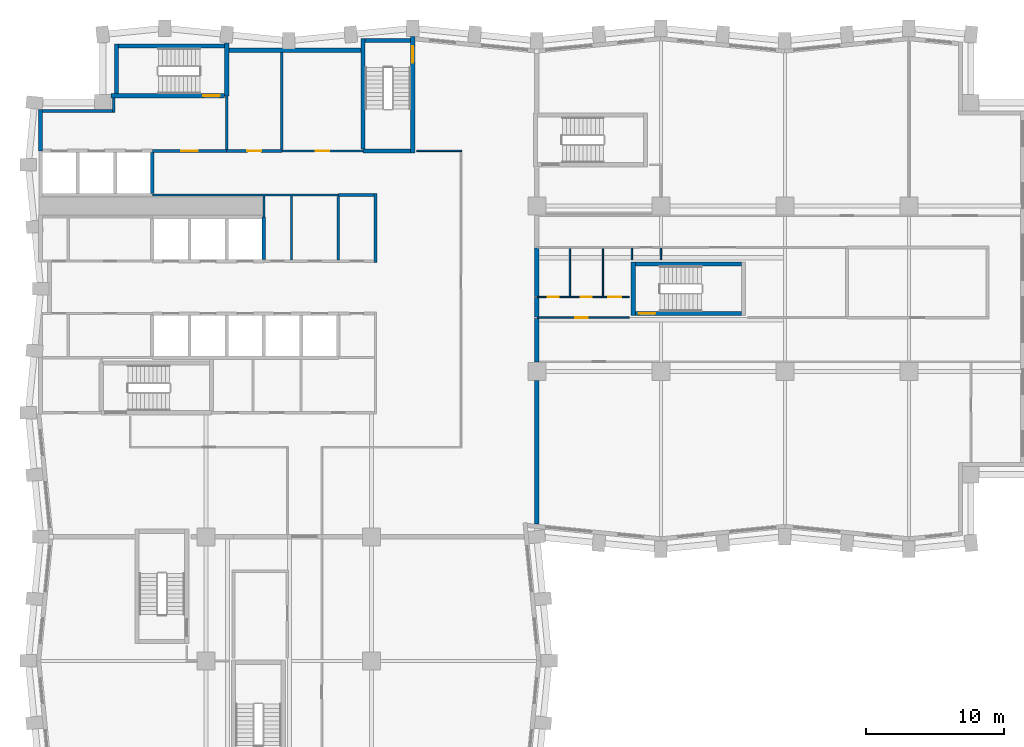
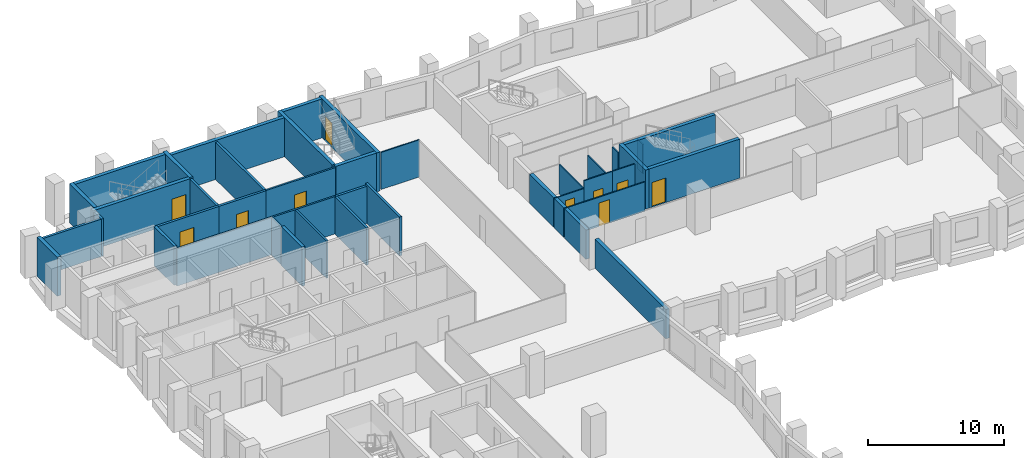
# One storey, part 6 of 11: 41 walls, 10 doors, 10 openings.
"""IFC4 building model written with IfcOpenShell, lengths in metres."""

from ifc_helpers import new_model, si_unit, direction, frame, frame_2d, origin, place, context, subcontext, project, spatial, rectangle, extrude, material, layer, layer_set, type_object, element, fill, save


model = new_model("IFC4")

# Units and contexts
model_context = context("Model", 3, precision=1e-05, world=origin(), true_north=direction((0.0, 1.0)))
body_context = subcontext(model_context, "Body", "Model", "MODEL_VIEW")
ifc_project = project(units=[si_unit("LENGTHUNIT", "METRE"), si_unit("AREAUNIT", "SQUARE_METRE"), si_unit("VOLUMEUNIT", "CUBIC_METRE"), si_unit("PLANEANGLEUNIT", "RADIAN"), si_unit("MASSUNIT", "GRAM", prefix="KILO")], contexts=[model_context])

# Site, building, storey
site_placement = place(None, origin())
site = spatial("IfcSite", under=ifc_project, at=site_placement, CompositionType="ELEMENT")
building_placement = place(site_placement, origin())
building = spatial("IfcBuilding", under=site, at=building_placement, Name="Brondeck Convention Tower", CompositionType="ELEMENT")
storey_placement = place(building_placement, frame((0.0, 0.0, 134.10009765625)))
storey = spatial("IfcBuildingStorey", under=building, at=storey_placement, Name="L32", CompositionType="ELEMENT", Elevation=134.10009765625)

# Walls
ifc_material_1 = material(Name="Concrete compartment wall C30/37", Category="concrete")
ifc_layer_1 = layer(ifc_material_1, 0.300048828125)
ifc_layer_set_1 = layer_set([ifc_layer_1], Name="Compartment wall 300")
wall_type_1 = type_object("IfcWallType", Name="Compartment wall 300", PredefinedType="PARTITIONING", material=ifc_layer_set_1)
wall_1_placement = place(storey_placement, frame((36.0, 27.924560546875, 0.0), z_axis=(0.0, 0.0, 1.0), x_axis=(0.0, 1.0, 0.0)))
element("IfcWall", 1, at=wall_1_placement, inside=storey, type_object=wall_type_1, Name="FLR-L32-W021", PredefinedType="PARTITIONING", context=body_context, shape_type="SweptSolid", body=[
    extrude(rectangle(XDim=10.42041015625, YDim=0.300048828125, at=frame_2d((5.210205078125, 0.0))), origin(), (0.0, 0.0, 1.0), 2.6298828125),
])
wall_2_placement = place(storey_placement, frame((36.0, 39.669921875, 0.0), z_axis=(0.0, 0.0, 1.0), x_axis=(0.0, 1.0, 0.0)))
element("IfcWall", 2, at=wall_2_placement, inside=storey, type_object=wall_type_1, Name="FLR-L32-W029", PredefinedType="PARTITIONING", context=body_context, shape_type="SweptSolid", body=[
    extrude(rectangle(XDim=3.18017578125, YDim=0.300048828125, at=frame_2d((1.590087890625, 0.0))), origin(), (0.0, 0.0, 1.0), 2.6298828125),
])
wall_3_placement = place(storey_placement, frame((36.0, 42.949951171875, 0.0), z_axis=(0.0, 0.0, 1.0), x_axis=(0.0, 1.0, 0.0)))
element("IfcWall", 3, at=wall_3_placement, inside=storey, type_object=wall_type_1, Name="FLR-L32-W033", PredefinedType="PARTITIONING", context=body_context, shape_type="SweptSolid", body=[
    extrude(rectangle(XDim=1.400146484375, YDim=0.300048828125, at=frame_2d((0.7001953125, 0.0))), origin(), (0.0, 0.0, 1.0), 2.6298828125),
])
wall_4_placement = place(storey_placement, frame((36.0, 44.449951171875, 0.0), z_axis=(0.0, 0.0, 1.0), x_axis=(0.0, 1.0, 0.0)))
element("IfcWall", 4, at=wall_4_placement, inside=storey, type_object=wall_type_1, Name="FLR-L32-W038", PredefinedType="PARTITIONING", context=body_context, shape_type="SweptSolid", body=[
    extrude(rectangle(XDim=3.5, YDim=0.300048828125, at=frame_2d((1.75, 0.0))), origin(), (0.0, 0.0, 1.0), 2.6298828125),
])
ifc_material_2 = material(Name="Concrete C70/85", Category="concrete")
ifc_layer_2 = layer(ifc_material_2, 0.199951171875)
ifc_layer_set_2 = layer_set([ifc_layer_2], Name="Core beam-seat wall 200 Concrete C70/85")
wall_type_2 = type_object("IfcWallType", Name="Core beam-seat wall 200 Concrete C70/85", PredefinedType="SHEAR", material=ifc_layer_set_2)
wall_5_placement = place(storey_placement, frame((24.300048828125, 46.89990234375, 0.0), z_axis=(0.0, 0.0, 1.0), x_axis=(0.0, 1.0, 0.0)))
element("IfcWall", 5, at=wall_5_placement, inside=storey, type_object=wall_type_2, Name="L32 core wall", PredefinedType="SHEAR", context=body_context, shape_type="SweptSolid", body=[
    extrude(rectangle(XDim=5.0, YDim=0.199951171875, at=frame_2d((2.5, 0.0))), origin(), (0.0, 0.0, 1.0), 3.5),
])
ifc_layer_3 = layer(ifc_material_2, 0.300048828125)
ifc_layer_set_3 = layer_set([ifc_layer_3], Name="Core outer wall 300 Concrete C70/85")
wall_type_3 = type_object("IfcWallType", Name="Core outer wall 300 Concrete C70/85", PredefinedType="SHEAR", material=ifc_layer_set_3)
wall_6_placement = place(storey_placement, frame((13.64990234375, 62.300048828125, 0.0), z_axis=(0.0, 0.0, 1.0), x_axis=(1.0, 0.0, 0.0)))
element("IfcWall", 6, at=wall_6_placement, inside=storey, type_object=wall_type_3, Name="L32 core wall", PredefinedType="SHEAR", context=body_context, shape_type="SweptSolid", body=[
    extrude(rectangle(XDim=9.60009765625, YDim=0.300048828125, at=frame_2d((4.800048828125, 0.0))), origin(), (0.0, 0.0, 1.0), 3.5),
])
wall_7_placement = place(storey_placement, frame((0.0, 55.0, 0.0), z_axis=(0.0, 0.0, 1.0), x_axis=(0.0, 1.0, 0.0)))
element("IfcWall", 7, at=wall_7_placement, inside=storey, type_object=wall_type_3, Name="L32 core wall", PredefinedType="SHEAR", context=body_context, shape_type="SweptSolid", body=[
    extrude(rectangle(XDim=3.0, YDim=0.300048828125, at=frame_2d((1.5, 0.0))), origin(), (0.0, 0.0, 1.0), 3.5),
])
ifc_material_3 = material(Name="Fire-rated gypsum board partition")
ifc_layer_4 = layer(ifc_material_3, 0.14990234375)
ifc_layer_set_4 = layer_set([ifc_layer_4], Name="Core partition 150 EI 60")
wall_type_4 = type_object("IfcWallType", Name="Core partition 150 EI 60", PredefinedType="PARTITIONING", material=ifc_layer_set_4)
wall_8_placement = place(storey_placement, frame((8.10009765625, 51.800048828125, 0.0), z_axis=(0.0, 0.0, 1.0), x_axis=(1.0, 0.0, 0.0)))
element("IfcWall", 8, at=wall_8_placement, inside=storey, type_object=wall_type_4, Name="L32 core wall", PredefinedType="PARTITIONING", context=body_context, shape_type="SweptSolid", body=[
    extrude(rectangle(XDim=13.5, YDim=0.14990234375, at=frame_2d((6.75, 0.0))), origin(), (0.0, 0.0, 1.0), 3.349853515625),
])

# Wall, opening, door
wall_9_placement = place(storey_placement, frame((17.5, 55.0, 0.0), z_axis=(0.0, 0.0, 1.0), x_axis=(1.0, 0.0, 0.0)))
wall_9 = element("IfcWall", 9, at=wall_9_placement, inside=storey, type_object=wall_type_4, Name="L32 core wall", PredefinedType="PARTITIONING", context=body_context, shape_type="SweptSolid", body=[
    extrude(rectangle(XDim=5.89990234375, YDim=0.14990234375, at=frame_2d((2.949951171875, 0.0))), origin(), (0.0, 0.0, 1.0), 3.349853515625),
])
opening_1_placement = place(wall_9_placement, frame((2.449951171875, 0.0, 0.0)))
opening_1 = element("IfcOpeningElement", 10, at=opening_1_placement, cuts=wall_9, Name="Opening C18-15", PredefinedType="OPENING", context=body_context, shape_type="SweptSolid", body=[
    extrude(rectangle(XDim=1.0, YDim=2.10009765625, at=frame_2d((0.5, 1.050048828125))), frame((0.0, 0.0849609375, 0.0), z_axis=(0.0, -1.0, 0.0), x_axis=(1.0, 0.0, 0.0)), (0.0, 0.0, 1.0), 0.169921875),
])
ifc_material_4 = material(Name="Steel fire door", Category="steel")
door_type_1 = type_object("IfcDoorType", Name="Room door 1000x2100 EI 60", OperationType="NOTDEFINED", PredefinedType="DOOR", material=ifc_material_4)
door_1_placement = place(opening_1_placement, origin())
door_1 = element("IfcDoor", 11, at=door_1_placement, inside=storey, type_object=door_type_1, Name="L32 Room door NE-2", OperationType="SINGLE_SWING_RIGHT", OverallHeight=2.10009765625, OverallWidth=1.0, PredefinedType="DOOR", context=body_context, shape_type="SweptSolid", body=[
    extrude(rectangle(XDim=1.0, YDim=2.10009765625, at=frame_2d((0.5, 1.050048828125))), frame((0.0, 0.02490234375, 0.0), z_axis=(0.0, -1.0, 0.0), x_axis=(1.0, 0.0, 0.0)), (0.0, 0.0, 1.0), 0.050048828125),
])
fill(opening_1, door_1)

# Walls
wall_10_placement = place(storey_placement, frame((16.199951171875, 50.199951171875, 0.0), z_axis=(0.0, 0.0, 1.0), x_axis=(0.0, 1.0, 0.0)))
element("IfcWall", 12, at=wall_10_placement, inside=storey, type_object=wall_type_4, Name="L32 core wall", PredefinedType="PARTITIONING", context=body_context, shape_type="SweptSolid", body=[
    extrude(rectangle(XDim=1.525146484375, YDim=0.14990234375, at=frame_2d((0.7626953125, 0.0))), origin(), (0.0, 0.0, 1.0), 3.349853515625),
])
wall_11_placement = place(storey_placement, frame((18.199951171875, 47.10009765625, 0.0), z_axis=(0.0, 0.0, 1.0), x_axis=(0.0, 1.0, 0.0)))
element("IfcWall", 13, at=wall_11_placement, inside=storey, type_object=wall_type_4, Name="L32 core wall", PredefinedType="PARTITIONING", context=body_context, shape_type="SweptSolid", body=[
    extrude(rectangle(XDim=4.625, YDim=0.14990234375, at=frame_2d((2.3125, 0.0))), origin(), (0.0, 0.0, 1.0), 3.349853515625),
])

# Wall, opening, door
ifc_layer_5 = layer(ifc_material_3, 0.199951171875)
ifc_layer_set_5 = layer_set([ifc_layer_5], Name="Firefighting lobby wall 200 EI 120")
wall_type_5 = type_object("IfcWallType", Name="Firefighting lobby wall 200 EI 120", PredefinedType="PARTITIONING", material=ifc_layer_set_5)
wall_12_placement = place(storey_placement, frame((8.10009765625, 55.0, 0.0), z_axis=(0.0, 0.0, 1.0), x_axis=(1.0, 0.0, 0.0)))
wall_12 = element("IfcWall", 14, at=wall_12_placement, inside=storey, type_object=wall_type_5, Name="L32 core wall", PredefinedType="PARTITIONING", context=body_context, shape_type="SweptSolid", body=[
    extrude(rectangle(XDim=5.39990234375, YDim=0.199951171875, at=frame_2d((2.699951171875, 0.0))), origin(), (0.0, 0.0, 1.0), 3.349853515625),
])
opening_2_placement = place(wall_12_placement, frame((2.10009765625, 0.0, 0.0)))
opening_2 = element("IfcOpeningElement", 15, at=opening_2_placement, cuts=wall_12, Name="Opening C18-01", PredefinedType="OPENING", context=body_context, shape_type="SweptSolid", body=[
    extrude(rectangle(XDim=1.199951171875, YDim=2.199951171875, at=frame_2d((0.60009765625, 1.10009765625))), frame((0.0, 0.10986328125, 0.0), z_axis=(0.0, -1.0, 0.0), x_axis=(1.0, 0.0, 0.0)), (0.0, 0.0, 1.0), 0.219970703125),
])
door_type_2 = type_object("IfcDoorType", Name="Firefighting lobby door 1200x2200 EI 120", OperationType="NOTDEFINED", PredefinedType="DOOR", material=ifc_material_4)
door_2_placement = place(opening_2_placement, origin())
door_2 = element("IfcDoor", 16, at=door_2_placement, inside=storey, type_object=door_type_2, Name="L32 Firefighting lobby door FFL-1", OperationType="SINGLE_SWING_RIGHT", OverallHeight=2.199951171875, OverallWidth=1.199951171875, PredefinedType="DOOR", context=body_context, shape_type="SweptSolid", body=[
    extrude(rectangle(XDim=1.199951171875, YDim=2.199951171875, at=frame_2d((0.60009765625, 1.10009765625))), frame((0.0, 0.02490234375, 0.0), z_axis=(0.0, -1.0, 0.0), x_axis=(1.0, 0.0, 0.0)), (0.0, 0.0, 1.0), 0.050048828125),
])
fill(opening_2, door_2)

# Walls
wall_13_placement = place(storey_placement, frame((0.14990234375, 57.89990234375, 0.0), z_axis=(0.0, 0.0, 1.0), x_axis=(1.0, 0.0, 0.0)))
element("IfcWall", 17, at=wall_13_placement, inside=storey, type_object=wall_type_5, Name="L32 core wall", PredefinedType="PARTITIONING", context=body_context, shape_type="SweptSolid", body=[
    extrude(rectangle(XDim=5.050048828125, YDim=0.199951171875, at=frame_2d((2.52490234375, 0.0))), origin(), (0.0, 0.0, 1.0), 3.349853515625),
])
wall_14_placement = place(storey_placement, frame((5.300048828125, 57.800048828125, 0.0), z_axis=(0.0, 0.0, 1.0), x_axis=(0.0, 1.0, 0.0)))
element("IfcWall", 18, at=wall_14_placement, inside=storey, type_object=wall_type_5, Name="L32 core wall", PredefinedType="PARTITIONING", context=body_context, shape_type="SweptSolid", body=[
    extrude(rectangle(XDim=1.050048828125, YDim=0.199951171875, at=frame_2d((0.52490234375, 0.0))), origin(), (0.0, 0.0, 1.0), 3.349853515625),
])
wall_15_placement = place(storey_placement, frame((13.5, 55.10009765625, 0.0), z_axis=(0.0, 0.0, 1.0), x_axis=(0.0, 1.0, 0.0)))
element("IfcWall", 19, at=wall_15_placement, inside=storey, type_object=wall_type_5, Name="L32 core wall", PredefinedType="PARTITIONING", context=body_context, shape_type="SweptSolid", body=[
    extrude(rectangle(XDim=3.89990234375, YDim=0.199951171875, at=frame_2d((1.949951171875, 0.0))), origin(), (0.0, 0.0, 1.0), 3.349853515625),
])
ifc_layer_6 = layer(ifc_material_2, 0.25)
ifc_layer_set_6 = layer_set([ifc_layer_6], Name="Lift shaft wall 250 Concrete C70/85")
wall_type_6 = type_object("IfcWallType", Name="Lift shaft wall 250 Concrete C70/85", PredefinedType="SHEAR", material=ifc_layer_set_6)
wall_16_placement = place(storey_placement, frame((8.10009765625, 51.925048828125, 0.0), z_axis=(0.0, 0.0, 1.0), x_axis=(0.0, 1.0, 0.0)))
element("IfcWall", 20, at=wall_16_placement, inside=storey, type_object=wall_type_6, Name="L32 core wall", PredefinedType="SHEAR", context=body_context, shape_type="SweptSolid", body=[
    extrude(rectangle(XDim=2.949951171875, YDim=0.25, at=frame_2d((1.47509765625, 0.0))), origin(), (0.0, 0.0, 1.0), 3.5),
])
wall_17_placement = place(storey_placement, frame((16.199951171875, 47.125, 0.0), z_axis=(0.0, 0.0, 1.0), x_axis=(0.0, 1.0, 0.0)))
element("IfcWall", 21, at=wall_17_placement, inside=storey, type_object=wall_type_6, Name="L32 core wall", PredefinedType="SHEAR", context=body_context, shape_type="SweptSolid", body=[
    extrude(rectangle(XDim=3.074951171875, YDim=0.25, at=frame_2d((1.53759765625, 0.0))), origin(), (0.0, 0.0, 1.0), 3.5),
])
ifc_layer_7 = layer(ifc_material_3, 0.199951171875)
ifc_layer_set_7 = layer_set([ifc_layer_7], Name="Riser wall 200 EI 120")
wall_type_7 = type_object("IfcWallType", Name="Riser wall 200 EI 120", PredefinedType="PARTITIONING", material=ifc_layer_set_7)
wall_18_placement = place(storey_placement, frame((21.60009765625, 51.800048828125, 0.0), z_axis=(0.0, 0.0, 1.0), x_axis=(1.0, 0.0, 0.0)))
element("IfcWall", 22, at=wall_18_placement, inside=storey, type_object=wall_type_7, Name="L32 core wall", PredefinedType="PARTITIONING", context=body_context, shape_type="SweptSolid", body=[
    extrude(rectangle(XDim=2.599853515625, YDim=0.199951171875, at=frame_2d((1.2998046875, 0.0))), origin(), (0.0, 0.0, 1.0), 3.349853515625),
])

# Wall, opening, door
wall_19_placement = place(storey_placement, frame((13.5, 55.0, 0.0), z_axis=(0.0, 0.0, 1.0), x_axis=(1.0, 0.0, 0.0)))
wall_19 = element("IfcWall", 23, at=wall_19_placement, inside=storey, type_object=wall_type_7, Name="L32 core wall", PredefinedType="PARTITIONING", context=body_context, shape_type="SweptSolid", body=[
    extrude(rectangle(XDim=4.0, YDim=0.199951171875, at=frame_2d((2.0, 0.0))), origin(), (0.0, 0.0, 1.0), 3.349853515625),
])
opening_3_placement = place(wall_19_placement, frame((1.5, 0.0, 0.0)))
opening_3 = element("IfcOpeningElement", 24, at=opening_3_placement, cuts=wall_19, Name="Opening C18-14", PredefinedType="OPENING", context=body_context, shape_type="SweptSolid", body=[
    extrude(rectangle(XDim=1.0, YDim=2.10009765625, at=frame_2d((0.5, 1.050048828125))), frame((0.0, 0.10986328125, 0.0), z_axis=(0.0, -1.0, 0.0), x_axis=(1.0, 0.0, 0.0)), (0.0, 0.0, 1.0), 0.219970703125),
])
door_type_3 = type_object("IfcDoorType", Name="Riser door 1000x2100 EI 120", OperationType="NOTDEFINED", PredefinedType="DOOR", material=ifc_material_4)
door_3_placement = place(opening_3_placement, origin())
door_3 = element("IfcDoor", 25, at=door_3_placement, inside=storey, type_object=door_type_3, Name="L32 Riser door NE-1", OperationType="SINGLE_SWING_LEFT", OverallHeight=2.10009765625, OverallWidth=1.0, PredefinedType="DOOR", context=body_context, shape_type="SweptSolid", body=[
    extrude(rectangle(XDim=1.0, YDim=2.10009765625, at=frame_2d((0.5, 1.050048828125))), frame((0.0, 0.02490234375, 0.0), z_axis=(0.0, -1.0, 0.0), x_axis=(1.0, 0.0, 0.0)), (0.0, 0.0, 1.0), 0.050048828125),
])
fill(opening_3, door_3)

# Walls
wall_20_placement = place(storey_placement, frame((17.5, 55.10009765625, 0.0), z_axis=(0.0, 0.0, 1.0), x_axis=(0.0, 1.0, 0.0)))
element("IfcWall", 26, at=wall_20_placement, inside=storey, type_object=wall_type_7, Name="L32 core wall", PredefinedType="PARTITIONING", context=body_context, shape_type="SweptSolid", body=[
    extrude(rectangle(XDim=7.0498046875, YDim=0.199951171875, at=frame_2d((3.52490234375, 0.0))), origin(), (0.0, 0.0, 1.0), 3.349853515625),
])
wall_21_placement = place(storey_placement, frame((21.60009765625, 47.10009765625, 0.0), z_axis=(0.0, 0.0, 1.0), x_axis=(0.0, 1.0, 0.0)))
element("IfcWall", 27, at=wall_21_placement, inside=storey, type_object=wall_type_7, Name="L32 core wall", PredefinedType="PARTITIONING", context=body_context, shape_type="SweptSolid", body=[
    extrude(rectangle(XDim=4.599853515625, YDim=0.199951171875, at=frame_2d((2.2998046875, 0.0))), origin(), (0.0, 0.0, 1.0), 3.349853515625),
])

# Wall, opening, door
ifc_material_5 = material(Name="Gypsum board partition on steel studs", Category="steel")
ifc_layer_8 = layer(ifc_material_5, 0.10009765625)
ifc_layer_set_8 = layer_set([ifc_layer_8], Name="Room partition 100")
wall_type_8 = type_object("IfcWallType", Name="Room partition 100", PredefinedType="PARTITIONING", material=ifc_layer_set_8)
wall_22_placement = place(storey_placement, frame((36.050048828125, 42.89990234375, 0.0), z_axis=(0.0, 0.0, 1.0), x_axis=(1.0, 0.0, 0.0)))
wall_22 = element("IfcWall", 28, at=wall_22_placement, inside=storey, type_object=wall_type_8, Name="FLR-L32-W030", PredefinedType="PARTITIONING", context=body_context, shape_type="SweptSolid", body=[
    extrude(rectangle(XDim=6.64990234375, YDim=0.10009765625, at=frame_2d((3.324951171875, 0.0))), origin(), (0.0, 0.0, 1.0), 2.6298828125),
])
opening_4_placement = place(wall_22_placement, frame((2.75, 0.0, 0.0)))
opening_4 = element("IfcOpeningElement", 29, at=opening_4_placement, cuts=wall_22, Name="Opening OF-E-002", PredefinedType="OPENING", context=body_context, shape_type="SweptSolid", body=[
    extrude(rectangle(XDim=0.89990234375, YDim=2.10009765625, at=frame_2d((0.449951171875, 1.050048828125))), frame((0.0, 0.06005859375, 0.0), z_axis=(0.0, -1.0, 0.0), x_axis=(1.0, 0.0, 0.0)), (0.0, 0.0, 1.0), 0.1201171875),
])
ifc_material_6 = material(Name="Solid timber door leaf", Category="wood")
door_type_4 = type_object("IfcDoorType", Name="Single door 900", OperationType="NOTDEFINED", PredefinedType="DOOR", material=ifc_material_6)
door_4_placement = place(opening_4_placement, origin())
door_4 = element("IfcDoor", 30, at=door_4_placement, inside=storey, type_object=door_type_4, Name="Door OF-E-002", OperationType="SINGLE_SWING_LEFT", OverallHeight=2.10009765625, OverallWidth=0.89990234375, PredefinedType="DOOR", context=body_context, shape_type="SweptSolid", body=[
    extrude(rectangle(XDim=0.89990234375, YDim=2.10009765625, at=frame_2d((0.449951171875, 1.050048828125))), frame((0.0, 0.02490234375, 0.0), z_axis=(0.0, -1.0, 0.0), x_axis=(1.0, 0.0, 0.0)), (0.0, 0.0, 1.0), 0.050048828125),
])
fill(opening_4, door_4)

wall_23_placement = place(storey_placement, frame((36.050048828125, 44.39990234375, 0.0), z_axis=(0.0, 0.0, 1.0), x_axis=(1.0, 0.0, 0.0)))
wall_23 = element("IfcWall", 31, at=wall_23_placement, inside=storey, type_object=wall_type_8, Name="FLR-L32-W035", PredefinedType="PARTITIONING", context=body_context, shape_type="SweptSolid", body=[
    extrude(rectangle(XDim=2.349853515625, YDim=0.10009765625, at=frame_2d((1.1748046875, 0.0))), origin(), (0.0, 0.0, 1.0), 2.6298828125),
])
opening_5_placement = place(wall_23_placement, frame((0.75, 0.0, 0.0)))
opening_5 = element("IfcOpeningElement", 32, at=opening_5_placement, cuts=wall_23, Name="Opening OF-E-003", PredefinedType="OPENING", context=body_context, shape_type="SweptSolid", body=[
    extrude(rectangle(XDim=0.800048828125, YDim=2.10009765625, at=frame_2d((0.39990234375, 1.050048828125))), frame((0.0, 0.06005859375, 0.0), z_axis=(0.0, -1.0, 0.0), x_axis=(1.0, 0.0, 0.0)), (0.0, 0.0, 1.0), 0.1201171875),
])
door_type_5 = type_object("IfcDoorType", Name="En-suite door 800", OperationType="NOTDEFINED", PredefinedType="DOOR", material=ifc_material_6)
door_5_placement = place(opening_5_placement, origin())
door_5 = element("IfcDoor", 33, at=door_5_placement, inside=storey, type_object=door_type_5, Name="Door OF-E-003", OperationType="SINGLE_SWING_LEFT", OverallHeight=2.10009765625, OverallWidth=0.800048828125, PredefinedType="DOOR", context=body_context, shape_type="SweptSolid", body=[
    extrude(rectangle(XDim=0.800048828125, YDim=2.10009765625, at=frame_2d((0.39990234375, 1.050048828125))), frame((0.0, 0.02490234375, 0.0), z_axis=(0.0, -1.0, 0.0), x_axis=(1.0, 0.0, 0.0)), (0.0, 0.0, 1.0), 0.050048828125),
])
fill(opening_5, door_5)

wall_24_placement = place(storey_placement, frame((38.39990234375, 44.39990234375, 0.0), z_axis=(0.0, 0.0, 1.0), x_axis=(1.0, 0.0, 0.0)))
wall_24 = element("IfcWall", 34, at=wall_24_placement, inside=storey, type_object=wall_type_8, Name="FLR-L32-W036", PredefinedType="PARTITIONING", context=body_context, shape_type="SweptSolid", body=[
    extrude(rectangle(XDim=2.400146484375, YDim=0.10009765625, at=frame_2d((1.2001953125, 0.0))), origin(), (0.0, 0.0, 1.0), 3.329833984375),
])
opening_6_placement = place(wall_24_placement, frame((0.800048828125, 0.0, 0.0)))
opening_6 = element("IfcOpeningElement", 35, at=opening_6_placement, cuts=wall_24, Name="Opening OF-E-004", PredefinedType="OPENING", context=body_context, shape_type="SweptSolid", body=[
    extrude(rectangle(XDim=0.800048828125, YDim=2.10009765625, at=frame_2d((0.39990234375, 1.050048828125))), frame((0.0, 0.06005859375, 0.0), z_axis=(0.0, -1.0, 0.0), x_axis=(1.0, 0.0, 0.0)), (0.0, 0.0, 1.0), 0.1201171875),
])
door_6_placement = place(opening_6_placement, origin())
door_6 = element("IfcDoor", 36, at=door_6_placement, inside=storey, type_object=door_type_5, Name="Door OF-E-004", OperationType="SINGLE_SWING_RIGHT", OverallHeight=2.10009765625, OverallWidth=0.800048828125, PredefinedType="DOOR", context=body_context, shape_type="SweptSolid", body=[
    extrude(rectangle(XDim=0.800048828125, YDim=2.10009765625, at=frame_2d((0.39990234375, 1.050048828125))), frame((0.0, 0.02490234375, 0.0), z_axis=(0.0, -1.0, 0.0), x_axis=(1.0, 0.0, 0.0)), (0.0, 0.0, 1.0), 0.050048828125),
])
fill(opening_6, door_6)

wall_25_placement = place(storey_placement, frame((40.800048828125, 44.39990234375, 0.0), z_axis=(0.0, 0.0, 1.0), x_axis=(1.0, 0.0, 0.0)))
wall_25 = element("IfcWall", 37, at=wall_25_placement, inside=storey, type_object=wall_type_8, Name="FLR-L32-W037", PredefinedType="PARTITIONING", context=body_context, shape_type="SweptSolid", body=[
    extrude(rectangle(XDim=1.89990234375, YDim=0.10009765625, at=frame_2d((0.949951171875, 0.0))), origin(), (0.0, 0.0, 1.0), 3.329833984375),
])
opening_7_placement = place(wall_25_placement, frame((0.375, 0.0, 0.0)))
opening_7 = element("IfcOpeningElement", 38, at=opening_7_placement, cuts=wall_25, Name="Opening OF-E-005", PredefinedType="OPENING", context=body_context, shape_type="SweptSolid", body=[
    extrude(rectangle(XDim=0.949951171875, YDim=2.10009765625, at=frame_2d((0.47509765625, 1.050048828125))), frame((0.0, 0.06005859375, 0.0), z_axis=(0.0, -1.0, 0.0), x_axis=(1.0, 0.0, 0.0)), (0.0, 0.0, 1.0), 0.1201171875),
])
door_type_6 = type_object("IfcDoorType", Name="Accessible door 950", OperationType="NOTDEFINED", PredefinedType="DOOR", material=ifc_material_6)
door_7_placement = place(opening_7_placement, origin())
door_7 = element("IfcDoor", 39, at=door_7_placement, inside=storey, type_object=door_type_6, Name="Door OF-E-005", OperationType="SINGLE_SWING_LEFT", OverallHeight=2.10009765625, OverallWidth=0.949951171875, PredefinedType="DOOR", context=body_context, shape_type="SweptSolid", body=[
    extrude(rectangle(XDim=0.949951171875, YDim=2.10009765625, at=frame_2d((0.47509765625, 1.050048828125))), frame((0.0, 0.02490234375, 0.0), z_axis=(0.0, -1.0, 0.0), x_axis=(1.0, 0.0, 0.0)), (0.0, 0.0, 1.0), 0.050048828125),
])
fill(opening_7, door_7)

# Walls
for number, where, z_axis, x_axis, name in (
    (40, (38.39990234375, 47.949951171875, 0.0), (0.0, 0.0, 1.0), (0.0, -1.0, 0.0), "FLR-L32-W040"),
    (41, (40.800048828125, 47.949951171875, 0.0), (0.0, 0.0, 1.0), (0.0, -1.0, 0.0), "FLR-L32-W041"),
):
    element("IfcWall", number, at=place(storey_placement, frame(where, z_axis=z_axis, x_axis=x_axis)), inside=storey, type_object=wall_type_8, Name=name, PredefinedType="PARTITIONING", context=body_context, shape_type="SweptSolid", body=[
        extrude(rectangle(XDim=3.5, YDim=0.10009765625, at=frame_2d((1.75, 0.0))), origin(), (0.0, 0.0, 1.0), 2.6298828125),
    ])
for number, where, z_axis, x_axis, name in (
    (42, (42.89990234375, 47.949951171875, 0.0), (0.0, 0.0, 1.0), (0.0, -1.0, 0.0), "FLR-L32-W042"),
    (43, (45.0, 47.949951171875, 0.0), (0.0, 0.0, 1.0), (0.0, -1.0, 0.0), "FLR-L32-W043"),
):
    element("IfcWall", number, at=place(storey_placement, frame(where, z_axis=z_axis, x_axis=x_axis)), inside=storey, type_object=wall_type_8, Name=name, PredefinedType="PARTITIONING", context=body_context, shape_type="SweptSolid", body=[
        extrude(rectangle(XDim=0.849853515625, YDim=0.10009765625, at=frame_2d((0.4248046875, 0.0))), origin(), (0.0, 0.0, 1.0), 2.6298828125),
    ])
wall_26_placement = place(storey_placement, frame((27.300048828125, 55.0, 0.0), z_axis=(0.0, 0.0, 1.0), x_axis=(1.0, 0.0, 0.0)))
element("IfcWall", 44, at=wall_26_placement, inside=storey, type_object=wall_type_8, Name="FLR-L32-W059", PredefinedType="PARTITIONING", context=body_context, shape_type="SweptSolid", body=[
    extrude(rectangle(XDim=3.25, YDim=0.10009765625, at=frame_2d((1.625, 0.0))), origin(), (0.0, 0.0, 1.0), 3.329833984375),
])

# Wall, opening, door
ifc_layer_9 = layer(ifc_material_2, 0.300048828125)
ifc_layer_set_9 = layer_set([ifc_layer_9], Name="Stair enclosure wall 300 Concrete C70/85")
wall_type_9 = type_object("IfcWallType", Name="Stair enclosure wall 300 Concrete C70/85", PredefinedType="SHEAR", material=ifc_layer_set_9)
wall_27_placement = place(storey_placement, frame((43.14990234375, 43.199951171875, 0.0), z_axis=(0.0, 0.0, 1.0), x_axis=(1.0, 0.0, 0.0)))
wall_27 = element("IfcWall", 45, at=wall_27_placement, inside=storey, type_object=wall_type_9, Name="L32 core wall", PredefinedType="SHEAR", context=body_context, shape_type="SweptSolid", body=[
    extrude(rectangle(XDim=7.7001953125, YDim=0.300048828125, at=frame_2d((3.85009765625, 0.0))), origin(), (0.0, 0.0, 1.0), 3.5),
])
opening_8_placement = place(wall_27_placement, frame((0.25, 0.0, 0.0)))
opening_8 = element("IfcOpeningElement", 46, at=opening_8_placement, cuts=wall_27, Name="Opening C18-20", PredefinedType="OPENING", context=body_context, shape_type="SweptSolid", body=[
    extrude(rectangle(XDim=1.199951171875, YDim=2.199951171875, at=frame_2d((0.60009765625, 1.10009765625))), frame((0.0, 0.159912109375, 0.0), z_axis=(0.0, -1.0, 0.0), x_axis=(1.0, 0.0, 0.0)), (0.0, 0.0, 1.0), 0.320068359375),
])
door_type_7 = type_object("IfcDoorType", Name="Stair door 1200x2200 EI 90", OperationType="NOTDEFINED", PredefinedType="DOOR", material=ifc_material_4)
door_8_placement = place(opening_8_placement, origin())
door_8 = element("IfcDoor", 47, at=door_8_placement, inside=storey, type_object=door_type_7, Name="L32 Stair door ST-AF", OperationType="SINGLE_SWING_RIGHT", OverallHeight=2.199951171875, OverallWidth=1.199951171875, PredefinedType="DOOR", context=body_context, shape_type="SweptSolid", body=[
    extrude(rectangle(XDim=1.199951171875, YDim=2.199951171875, at=frame_2d((0.60009765625, 1.10009765625))), frame((0.0, 0.02490234375, 0.0), z_axis=(0.0, -1.0, 0.0), x_axis=(1.0, 0.0, 0.0)), (0.0, 0.0, 1.0), 0.050048828125),
])
fill(opening_8, door_8)

# Walls
wall_28_placement = place(storey_placement, frame((43.14990234375, 46.800048828125, 0.0), z_axis=(0.0, 0.0, 1.0), x_axis=(1.0, 0.0, 0.0)))
element("IfcWall", 48, at=wall_28_placement, inside=storey, type_object=wall_type_9, Name="L32 core wall", PredefinedType="SHEAR", context=body_context, shape_type="SweptSolid", body=[
    extrude(rectangle(XDim=7.7001953125, YDim=0.300048828125, at=frame_2d((3.85009765625, 0.0))), origin(), (0.0, 0.0, 1.0), 3.5),
])
wall_29_placement = place(storey_placement, frame((23.39990234375, 55.0, 0.0), z_axis=(0.0, 0.0, 1.0), x_axis=(1.0, 0.0, 0.0)))
element("IfcWall", 49, at=wall_29_placement, inside=storey, type_object=wall_type_9, Name="L32 core wall", PredefinedType="SHEAR", context=body_context, shape_type="SweptSolid", body=[
    extrude(rectangle(XDim=3.4501953125, YDim=0.300048828125, at=frame_2d((1.72509765625, 0.0))), origin(), (0.0, 0.0, 1.0), 3.5),
])

# Wall, opening, door
wall_30_placement = place(storey_placement, frame((5.10009765625, 59.0, 0.0), z_axis=(0.0, 0.0, 1.0), x_axis=(1.0, 0.0, 0.0)))
wall_30 = element("IfcWall", 50, at=wall_30_placement, inside=storey, type_object=wall_type_9, Name="L32 core wall", PredefinedType="SHEAR", context=body_context, shape_type="SweptSolid", body=[
    extrude(rectangle(XDim=8.25, YDim=0.300048828125, at=frame_2d((4.125, 0.0))), origin(), (0.0, 0.0, 1.0), 3.5),
])
opening_9_placement = place(wall_30_placement, frame((6.699951171875, 0.0, 0.0)))
opening_9 = element("IfcOpeningElement", 51, at=opening_9_placement, cuts=wall_30, Name="Opening C18-18", PredefinedType="OPENING", context=body_context, shape_type="SweptSolid", body=[
    extrude(rectangle(XDim=1.199951171875, YDim=2.199951171875, at=frame_2d((0.60009765625, 1.10009765625))), frame((0.0, 0.159912109375, 0.0), z_axis=(0.0, -1.0, 0.0), x_axis=(1.0, 0.0, 0.0)), (0.0, 0.0, 1.0), 0.320068359375),
])
door_type_8 = type_object("IfcDoorType", Name="Stair door 1200x2200 EI 120", OperationType="NOTDEFINED", PredefinedType="DOOR", material=ifc_material_4)
door_9_placement = place(opening_9_placement, origin())
door_9 = element("IfcDoor", 52, at=door_9_placement, inside=storey, type_object=door_type_8, Name="L32 Stair door ST-3", OperationType="SINGLE_SWING_RIGHT", OverallHeight=2.199951171875, OverallWidth=1.199951171875, PredefinedType="DOOR", context=body_context, shape_type="SweptSolid", body=[
    extrude(rectangle(XDim=1.199951171875, YDim=2.199951171875, at=frame_2d((0.60009765625, 1.10009765625))), frame((0.0, 0.02490234375, 0.0), z_axis=(0.0, -1.0, 0.0), x_axis=(1.0, 0.0, 0.0)), (0.0, 0.0, 1.0), 0.050048828125),
])
fill(opening_9, door_9)

# Walls
wall_31_placement = place(storey_placement, frame((5.64990234375, 62.60009765625, 0.0), z_axis=(0.0, 0.0, 1.0), x_axis=(1.0, 0.0, 0.0)))
element("IfcWall", 53, at=wall_31_placement, inside=storey, type_object=wall_type_9, Name="L32 core wall", PredefinedType="SHEAR", context=body_context, shape_type="SweptSolid", body=[
    extrude(rectangle(XDim=7.7001953125, YDim=0.300048828125, at=frame_2d((3.85009765625, 0.0))), origin(), (0.0, 0.0, 1.0), 3.5),
])
wall_32_placement = place(storey_placement, frame((23.550048828125, 63.0, 0.0), z_axis=(0.0, 0.0, 1.0), x_axis=(1.0, 0.0, 0.0)))
element("IfcWall", 54, at=wall_32_placement, inside=storey, type_object=wall_type_9, Name="L32 core wall", PredefinedType="SHEAR", context=body_context, shape_type="SweptSolid", body=[
    extrude(rectangle(XDim=3.300048828125, YDim=0.300048828125, at=frame_2d((1.64990234375, 0.0))), origin(), (0.0, 0.0, 1.0), 3.5),
])
wall_33_placement = place(storey_placement, frame((5.5, 59.14990234375, 0.0), z_axis=(0.0, 0.0, 1.0), x_axis=(0.0, 1.0, 0.0)))
element("IfcWall", 55, at=wall_33_placement, inside=storey, type_object=wall_type_9, Name="L32 core wall", PredefinedType="SHEAR", context=body_context, shape_type="SweptSolid", body=[
    extrude(rectangle(XDim=3.60009765625, YDim=0.300048828125, at=frame_2d((1.800048828125, 0.0))), origin(), (0.0, 0.0, 1.0), 3.5),
])
wall_34_placement = place(storey_placement, frame((13.5, 59.0, 0.0), z_axis=(0.0, 0.0, 1.0), x_axis=(0.0, 1.0, 0.0)))
element("IfcWall", 56, at=wall_34_placement, inside=storey, type_object=wall_type_9, Name="L32 core wall", PredefinedType="SHEAR", context=body_context, shape_type="SweptSolid", body=[
    extrude(rectangle(XDim=3.846923828125, YDim=0.300048828125, at=frame_2d((1.92333984375, 0.0))), origin(), (0.0, 0.0, 1.0), 3.5),
])
wall_35_placement = place(storey_placement, frame((23.39990234375, 55.14990234375, 0.0), z_axis=(0.0, 0.0, 1.0), x_axis=(0.0, 1.0, 0.0)))
element("IfcWall", 57, at=wall_35_placement, inside=storey, type_object=wall_type_9, Name="L32 core wall", PredefinedType="SHEAR", context=body_context, shape_type="SweptSolid", body=[
    extrude(rectangle(XDim=8.0, YDim=0.300048828125, at=frame_2d((4.0, 0.0))), origin(), (0.0, 0.0, 1.0), 3.5),
])

# Wall, opening, door
wall_36_placement = place(storey_placement, frame((27.0, 54.85009765625, 0.0), z_axis=(0.0, 0.0, 1.0), x_axis=(0.0, 1.0, 0.0)))
wall_36 = element("IfcWall", 58, at=wall_36_placement, inside=storey, type_object=wall_type_9, Name="L32 core wall", PredefinedType="SHEAR", context=body_context, shape_type="SweptSolid", body=[
    extrude(rectangle(XDim=8.449951171875, YDim=0.300048828125, at=frame_2d((4.22509765625, 0.0))), origin(), (0.0, 0.0, 1.0), 3.5),
])
opening_10_placement = place(wall_36_placement, frame((6.550048828125, 0.0, 0.0)))
opening_10 = element("IfcOpeningElement", 59, at=opening_10_placement, cuts=wall_36, Name="Opening C18-17", PredefinedType="OPENING", context=body_context, shape_type="SweptSolid", body=[
    extrude(rectangle(XDim=1.199951171875, YDim=2.199951171875, at=frame_2d((0.60009765625, 1.10009765625))), frame((0.0, 0.159912109375, 0.0), z_axis=(0.0, -1.0, 0.0), x_axis=(1.0, 0.0, 0.0)), (0.0, 0.0, 1.0), 0.320068359375),
])
door_10_placement = place(opening_10_placement, origin())
door_10 = element("IfcDoor", 60, at=door_10_placement, inside=storey, type_object=door_type_7, Name="L32 Stair door ST-2", OperationType="SINGLE_SWING_LEFT", OverallHeight=2.199951171875, OverallWidth=1.199951171875, PredefinedType="DOOR", context=body_context, shape_type="SweptSolid", body=[
    extrude(rectangle(XDim=1.199951171875, YDim=2.199951171875, at=frame_2d((0.60009765625, 1.10009765625))), frame((0.0, 0.02490234375, 0.0), z_axis=(0.0, -1.0, 0.0), x_axis=(1.0, 0.0, 0.0)), (0.0, 0.0, 1.0), 0.050048828125),
])
fill(opening_10, door_10)

# Wall
wall_37_placement = place(storey_placement, frame((43.0, 43.050048828125, 0.0), z_axis=(0.0, 0.0, 1.0), x_axis=(0.0, 1.0, 0.0)))
element("IfcWall", 61, at=wall_37_placement, inside=storey, type_object=wall_type_9, Name="L32 core wall", PredefinedType="SHEAR", context=body_context, shape_type="SweptSolid", body=[
    extrude(rectangle(XDim=3.89990234375, YDim=0.300048828125, at=frame_2d((1.949951171875, 0.0))), origin(), (0.0, 0.0, 1.0), 3.5),
])

save(model, "model.ifc")
